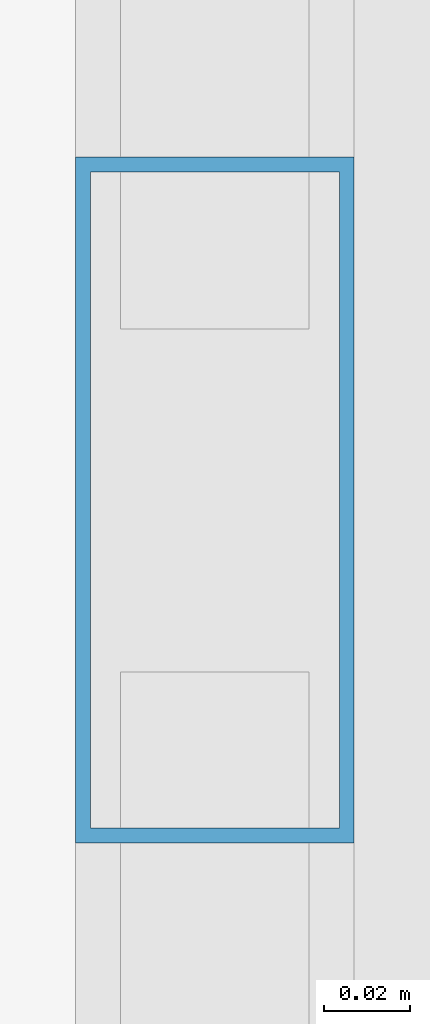
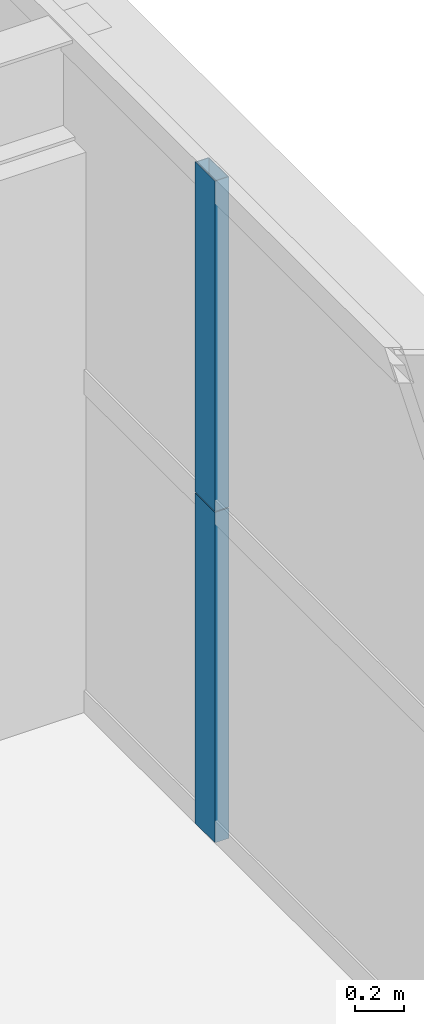
# One storey, part 19 of 42: 2 members, 1 element without a shape of its own.
"""IFC4 building model written with IfcOpenShell, lengths in metres."""

from ifc_helpers import new_model, si_unit, direction, frame, origin, origin_2d, place, context, subcontext, project, spatial, hollow_rectangle, extrude, source, transform, mapped, material, layer, layer_set, material_profile, profile_set, type_object, element, aggregate, save


model = new_model("IFC4")

# Units and contexts
model_context = context("Model", 3, precision=1e-05, world=origin(), true_north=direction((0.0, 1.0)))
body_context = subcontext(model_context, "Body", "Model", "MODEL_VIEW")
ifc_project = project(units=[si_unit("LENGTHUNIT", "METRE"), si_unit("AREAUNIT", "SQUARE_METRE"), si_unit("VOLUMEUNIT", "CUBIC_METRE"), si_unit("PLANEANGLEUNIT", "RADIAN"), si_unit("MASSUNIT", "GRAM", prefix="KILO"), si_unit("THERMODYNAMICTEMPERATUREUNIT", "KELVIN"), si_unit("POWERUNIT", "WATT")], contexts=[model_context])

# Site, building, storey
site_placement = place(None, origin())
site = spatial("IfcSite", under=ifc_project, at=site_placement, CompositionType="ELEMENT")
building_placement = place(site_placement, origin())
building = spatial("IfcBuilding", under=site, at=building_placement, Name="Yuzanri Waterfront Tower", CompositionType="ELEMENT")
storey_placement = place(building_placement, frame((0.0, 0.0, 205.5)))
storey = spatial("IfcBuildingStorey", under=building, at=storey_placement, Name="L54", CompositionType="ELEMENT", Elevation=205.5)

# Curtain wall, members
ifc_material_1 = material(Name="Anodized Architectural Bronze", Category="metal")
ifc_layer = layer(ifc_material_1, 0.159912109375)
ifc_layer_set = layer_set([ifc_layer], Name="Anodized Architectural Bronze")
curtain_wall_type = type_object("IfcCurtainWallType", Name="Anodized Bronze Mid-Rise Residential Acoustic Unitized Curtain Wall 7200", PredefinedType="NOTDEFINED", material=ifc_layer_set)
curtain_wall_placement = place(storey_placement, origin())
curtain_wall = element("IfcCurtainWall", 1, at=curtain_wall_placement, inside=storey, type_object=curtain_wall_type, Name="L54 Curtain Wall CW-L54-EL", PredefinedType="NOTDEFINED")
ifc_material_2 = material(Name="Anodized Architectural Bronze", Category="metal")
ifc_material_profile = material_profile(ifc_material_2, hollow_rectangle(XDim=0.06494140625, YDim=0.159912109375, WallThickness=0.00341796875, at=origin_2d()), Name="CWM 65x160")
ifc_profile_set = profile_set([ifc_material_profile], Name="Anodized Architectural Bronze")
member_type = type_object("IfcMemberType", Name="Anodized Bronze Upper-Zone Curtain-Wall Mullion 65x160", PredefinedType="MULLION", material=ifc_profile_set)
shared_shape = source(origin(), body_context, "Body", "SweptSolid", [
    extrude(hollow_rectangle(XDim=0.06494140625, YDim=0.159912109375, WallThickness=0.00341796875, at=origin_2d()), origin(), (0.0, 0.0, 1.0), 1.637939453125),
])
member_1_placement = place(storey_placement, frame((58.949951171875, 18.22509765625, 0.0), z_axis=(0.0, 0.0, 1.0), x_axis=(1.0, 0.0, 0.0)))
member_1 = element("IfcMember", 2, at=member_1_placement, type_object=member_type, Name="CW-L54-EL Lower Mullion 01", PredefinedType="MULLION", context=body_context, shape_type="MappedRepresentation", body=[
    mapped(shared_shape, transform((0.0, 0.0, 0.0), scale=1.0)),
])
member_2_placement = place(storey_placement, frame((58.949951171875, 18.22509765625, 1.64208984375), z_axis=(0.0, 0.0, 1.0), x_axis=(1.0, 0.0, 0.0)))
member_2 = element("IfcMember", 3, at=member_2_placement, type_object=member_type, Name="CW-L54-EL Upper Mullion 01", PredefinedType="MULLION", context=body_context, shape_type="MappedRepresentation", body=[
    mapped(shared_shape, transform((0.0, 0.0, 0.0), scale=1.0)),
])
aggregate(curtain_wall, [member_1, member_2])

save(model, "model.ifc")
